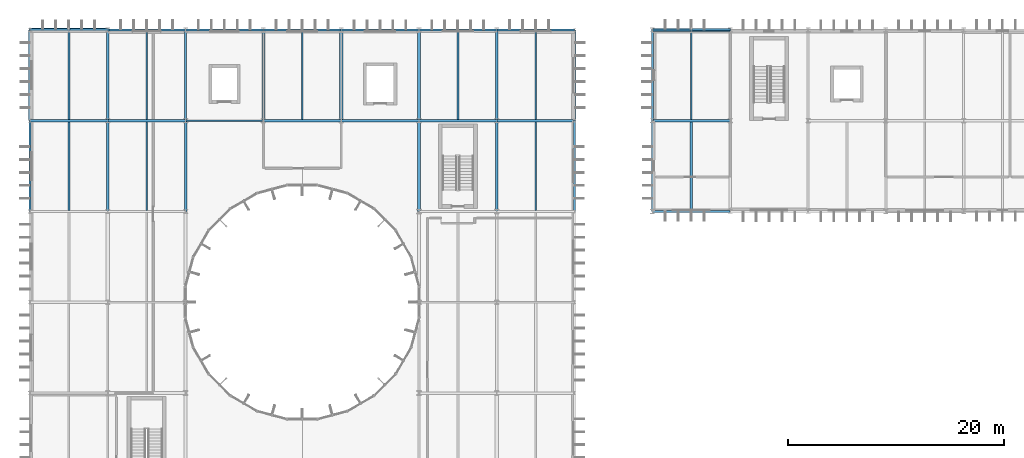
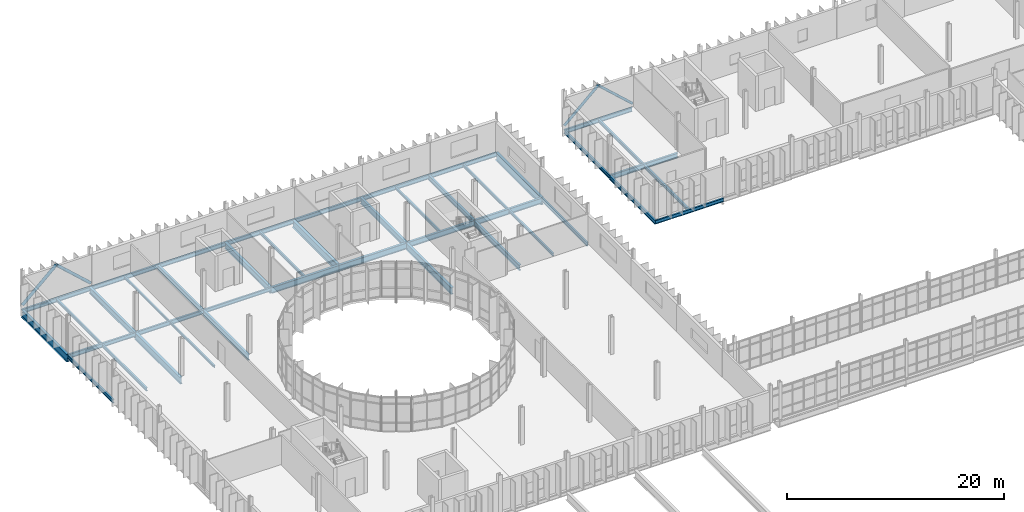
# One storey, part 50 of 119: 43 beams, 4 members.
"""IFC4 building model written with IfcOpenShell, lengths in metres."""

from ifc_helpers import new_model, si_unit, direction, frame, origin, origin_2d, place, context, subcontext, project, spatial, hollow_circle, i_section, extrude, material, material_profile, profile_set, type_object, element, save


model = new_model("IFC4")

# Units and contexts
model_context = context("Model", 3, precision=1e-05, world=origin(), true_north=direction((0.0, 1.0)))
body_context = subcontext(model_context, "Body", "Model", "MODEL_VIEW")
ifc_project = project(units=[si_unit("LENGTHUNIT", "METRE"), si_unit("AREAUNIT", "SQUARE_METRE"), si_unit("VOLUMEUNIT", "CUBIC_METRE"), si_unit("PLANEANGLEUNIT", "RADIAN"), si_unit("MASSUNIT", "GRAM", prefix="KILO")], contexts=[model_context])

# Site, building, storey
site_placement = place(None, origin())
site = spatial("IfcSite", under=ifc_project, at=site_placement, CompositionType="ELEMENT")
building_placement = place(site_placement, origin())
building = spatial("IfcBuilding", under=site, at=building_placement, Name="Qelthora Terrace Specialist Clinic", CompositionType="ELEMENT")
storey_placement = place(building_placement, frame((0.0, 0.0, 4.800048828125)))
storey = spatial("IfcBuildingStorey", under=building, at=storey_placement, Name="L01", CompositionType="ELEMENT", Elevation=4.800048828125)

# Beams
ifc_material = material(Name="Steel S355", Category="steel")
ifc_material_profile_1 = material_profile(ifc_material, i_section(OverallWidth=0.178955078125, OverallDepth=0.409912109375, WebThickness=0.0087890625, FlangeThickness=0.014404296875, FilletRadius=0.011962890625, at=origin_2d()), Name="W410X67")
ifc_profile_set_1 = profile_set([ifc_material_profile_1], Name="Steel S355")
beam_type_1 = type_object("IfcBeamType", Name="BM-W410X67", PredefinedType="BEAM", material=ifc_profile_set_1)
beam_1_placement = place(storey_placement, frame((57.60009765625, 92.39990234375, -0.455078125), z_axis=(1.0, 0.0, 0.0), x_axis=(0.0, 1.0, 0.0)))
element("IfcBeam", 1, at=beam_1_placement, inside=storey, type_object=beam_type_1, Name="Girder BMX-L01-0292", PredefinedType="BEAM", context=body_context, shape_type="SweptSolid", body=[
    extrude(i_section(OverallWidth=0.178955078125, OverallDepth=0.409912109375, WebThickness=0.0087890625, FlangeThickness=0.014404296875, FilletRadius=0.011962890625, at=origin_2d()), origin(), (0.0, 0.0, 1.0), 7.199951171875),
])
beam_2_placement = place(storey_placement, frame((14.39990234375, 100.800048828125, -0.455078125), z_axis=(1.0, 0.0, 0.0), x_axis=(0.0, 1.0, 0.0)))
element("IfcBeam", 2, at=beam_2_placement, inside=storey, type_object=beam_type_1, Name="Girder BMX-L01-0308", PredefinedType="BEAM", context=body_context, shape_type="SweptSolid", body=[
    extrude(i_section(OverallWidth=0.178955078125, OverallDepth=0.409912109375, WebThickness=0.0087890625, FlangeThickness=0.014404296875, FilletRadius=0.011962890625, at=origin_2d()), origin(), (0.0, 0.0, 1.0), 7.2001953125),
])
for number, where, z_axis, x_axis, name in (
    (3, (0.0, 92.39990234375, -0.455078125), (0.0, 1.0, 0.0), (-1.0, 0.0, 0.0), "Girder BMY-L01-0350"),
    (4, (50.39990234375, 92.39990234375, -0.455078125), (0.0, 1.0, 0.0), (-1.0, 0.0, 0.0), "Girder BMY-L01-0420"),
):
    element("IfcBeam", number, at=place(storey_placement, frame(where, z_axis=z_axis, x_axis=x_axis)), inside=storey, type_object=beam_type_1, Name=name, PredefinedType="BEAM", context=body_context, shape_type="SweptSolid", body=[
        extrude(i_section(OverallWidth=0.178955078125, OverallDepth=0.409912109375, WebThickness=0.0087890625, FlangeThickness=0.014404296875, FilletRadius=0.011962890625, at=origin_2d()), origin(), (0.0, 0.0, 1.0), 8.400146484375),
    ])
ifc_material_profile_2 = material_profile(ifc_material, i_section(OverallWidth=0.179931640625, OverallDepth=0.4130859375, WebThickness=0.009765625, FlangeThickness=0.01611328125, FilletRadius=0.011962890625, at=origin_2d()), Name="W410X75")
ifc_profile_set_2 = profile_set([ifc_material_profile_2], Name="Steel S355")
beam_type_2 = type_object("IfcBeamType", Name="BM-W410X75", PredefinedType="BEAM", material=ifc_profile_set_2)
beam_3_placement = place(storey_placement, frame((57.60009765625, 100.800048828125, -0.45654296875), z_axis=(0.0, 1.0, 0.0), x_axis=(-1.0, 0.0, 0.0)))
element("IfcBeam", 5, at=beam_3_placement, inside=storey, type_object=beam_type_2, Name="Girder BMY-L01-0429", PredefinedType="BEAM", context=body_context, shape_type="SweptSolid", body=[
    extrude(i_section(OverallWidth=0.179931640625, OverallDepth=0.4130859375, WebThickness=0.009765625, FlangeThickness=0.01611328125, FilletRadius=0.011962890625, at=origin_2d()), origin(), (0.0, 0.0, 1.0), 8.39990234375),
])
ifc_material_profile_3 = material_profile(ifc_material, i_section(OverallWidth=0.19091796875, OverallDepth=0.4599609375, WebThickness=0.010009765625, FlangeThickness=0.01611328125, FilletRadius=0.012939453125, at=origin_2d()), Name="W460X82")
ifc_profile_set_3 = profile_set([ifc_material_profile_3], Name="Steel S355")
beam_type_3 = type_object("IfcBeamType", Name="BM-W460X82", PredefinedType="BEAM", material=ifc_profile_set_3)
beam_4_placement = place(storey_placement, frame((7.199951171875, 100.800048828125, -0.47998046875), z_axis=(1.0, 0.0, 0.0), x_axis=(0.0, 1.0, 0.0)))
element("IfcBeam", 6, at=beam_4_placement, inside=storey, type_object=beam_type_3, Name="Girder BMX-L01-0307", PredefinedType="BEAM", context=body_context, shape_type="SweptSolid", body=[
    extrude(i_section(OverallWidth=0.19091796875, OverallDepth=0.4599609375, WebThickness=0.010009765625, FlangeThickness=0.01611328125, FilletRadius=0.012939453125, at=origin_2d()), origin(), (0.0, 0.0, 1.0), 7.199951171875),
])
beam_5_placement = place(storey_placement, frame((57.60009765625, 92.39990234375, -0.47998046875), z_axis=(0.0, 1.0, 0.0), x_axis=(-1.0, 0.0, 0.0)))
element("IfcBeam", 7, at=beam_5_placement, inside=storey, type_object=beam_type_3, Name="Girder BMY-L01-0428", PredefinedType="BEAM", context=body_context, shape_type="SweptSolid", body=[
    extrude(i_section(OverallWidth=0.19091796875, OverallDepth=0.4599609375, WebThickness=0.010009765625, FlangeThickness=0.01611328125, FilletRadius=0.012939453125, at=origin_2d()), origin(), (0.0, 0.0, 1.0), 8.400146484375),
])
ifc_material_profile_4 = material_profile(ifc_material, i_section(OverallWidth=0.2119140625, OverallDepth=0.5439453125, WebThickness=0.01318359375, FlangeThickness=0.021240234375, FilletRadius=0.013916015625, at=origin_2d()), Name="W530X123")
ifc_profile_set_4 = profile_set([ifc_material_profile_4], Name="Steel S355")
beam_type_4 = type_object("IfcBeamType", Name="BM-W530X123", PredefinedType="BEAM", material=ifc_profile_set_4)
beam_6_placement = place(storey_placement, frame((57.60009765625, 100.800048828125, -0.52197265625), z_axis=(1.0, 0.0, 0.0), x_axis=(0.0, 1.0, 0.0)))
element("IfcBeam", 8, at=beam_6_placement, inside=storey, type_object=beam_type_4, Name="Girder BMX-L01-0313", PredefinedType="BEAM", context=body_context, shape_type="SweptSolid", body=[
    extrude(i_section(OverallWidth=0.2119140625, OverallDepth=0.5439453125, WebThickness=0.01318359375, FlangeThickness=0.021240234375, FilletRadius=0.013916015625, at=origin_2d()), origin(), (0.0, 0.0, 1.0), 7.199951171875),
])
for number, where, z_axis, x_axis, name in (
    (9, (14.39990234375, 100.800048828125, -0.52197265625), (0.0, 1.0, 0.0), (-1.0, 0.0, 0.0), "Girder BMY-L01-0375"),
    (10, (43.199951171875, 100.800048828125, -0.52197265625), (0.0, 1.0, 0.0), (-1.0, 0.0, 0.0), "Girder BMY-L01-0415"),
):
    element("IfcBeam", number, at=place(storey_placement, frame(where, z_axis=z_axis, x_axis=x_axis)), inside=storey, type_object=beam_type_4, Name=name, PredefinedType="BEAM", context=body_context, shape_type="SweptSolid", body=[
        extrude(i_section(OverallWidth=0.2119140625, OverallDepth=0.5439453125, WebThickness=0.01318359375, FlangeThickness=0.021240234375, FilletRadius=0.013916015625, at=origin_2d()), origin(), (0.0, 0.0, 1.0), 8.39990234375),
    ])
ifc_material_profile_5 = material_profile(ifc_material, i_section(OverallWidth=0.22900390625, OverallDepth=0.612060546875, WebThickness=0.011962890625, FlangeThickness=0.01953125, FilletRadius=0.01611328125, at=origin_2d()), Name="W610X125")
ifc_profile_set_5 = profile_set([ifc_material_profile_5], Name="Steel S355")
beam_type_5 = type_object("IfcBeamType", Name="BM-W610X125", PredefinedType="BEAM", material=ifc_profile_set_5)
beam_7_placement = place(storey_placement, frame((43.199951171875, 100.800048828125, -0.55615234375), z_axis=(1.0, 0.0, 0.0), x_axis=(0.0, 1.0, 0.0)))
element("IfcBeam", 11, at=beam_7_placement, inside=storey, type_object=beam_type_5, Name="Girder BMX-L01-0312", PredefinedType="BEAM", context=body_context, shape_type="SweptSolid", body=[
    extrude(i_section(OverallWidth=0.22900390625, OverallDepth=0.612060546875, WebThickness=0.011962890625, FlangeThickness=0.01953125, FilletRadius=0.01611328125, at=origin_2d()), origin(), (0.0, 0.0, 1.0), 7.199951171875),
])
ifc_material_profile_6 = material_profile(ifc_material, i_section(OverallWidth=0.22998046875, OverallDepth=0.616943359375, WebThickness=0.01318359375, FlangeThickness=0.022216796875, FilletRadius=0.01611328125, at=origin_2d()), Name="W610X140")
ifc_profile_set_6 = profile_set([ifc_material_profile_6], Name="Steel S355")
beam_type_6 = type_object("IfcBeamType", Name="BM-W610X140", PredefinedType="BEAM", material=ifc_profile_set_6)
beam_8_placement = place(storey_placement, frame((36.0, 100.800048828125, -0.55859375), z_axis=(1.0, 0.0, 0.0), x_axis=(0.0, 1.0, 0.0)))
element("IfcBeam", 12, at=beam_8_placement, inside=storey, type_object=beam_type_6, Name="Girder BMX-L01-0311", PredefinedType="BEAM", context=body_context, shape_type="SweptSolid", body=[
    extrude(i_section(OverallWidth=0.22998046875, OverallDepth=0.616943359375, WebThickness=0.01318359375, FlangeThickness=0.022216796875, FilletRadius=0.01611328125, at=origin_2d()), origin(), (0.0, 0.0, 1.0), 7.199951171875),
])
for number, where, z_axis, x_axis, name in (
    (13, (14.39990234375, 92.39990234375, -0.55859375), (0.0, 1.0, 0.0), (-1.0, 0.0, 0.0), "Girder BMY-L01-0374"),
    (14, (43.199951171875, 92.39990234375, -0.55859375), (0.0, 1.0, 0.0), (-1.0, 0.0, 0.0), "Girder BMY-L01-0414"),
):
    element("IfcBeam", number, at=place(storey_placement, frame(where, z_axis=z_axis, x_axis=x_axis)), inside=storey, type_object=beam_type_6, Name=name, PredefinedType="BEAM", context=body_context, shape_type="SweptSolid", body=[
        extrude(i_section(OverallWidth=0.22998046875, OverallDepth=0.616943359375, WebThickness=0.01318359375, FlangeThickness=0.022216796875, FilletRadius=0.01611328125, at=origin_2d()), origin(), (0.0, 0.0, 1.0), 8.400146484375),
    ])
ifc_material_profile_7 = material_profile(ifc_material, i_section(OverallWidth=0.25390625, OverallDepth=0.68798828125, WebThickness=0.01318359375, FlangeThickness=0.02099609375, FilletRadius=0.01806640625, at=origin_2d()), Name="W690X152")
ifc_profile_set_7 = profile_set([ifc_material_profile_7], Name="Steel S355")
beam_type_7 = type_object("IfcBeamType", Name="BM-W690X152", PredefinedType="BEAM", material=ifc_profile_set_7)
beam_9_placement = place(storey_placement, frame((28.800048828125, 100.800048828125, -0.593994140625), z_axis=(1.0, 0.0, 0.0), x_axis=(0.0, 1.0, 0.0)))
element("IfcBeam", 15, at=beam_9_placement, inside=storey, type_object=beam_type_7, Name="Girder BMX-L01-0310", PredefinedType="BEAM", context=body_context, shape_type="SweptSolid", body=[
    extrude(i_section(OverallWidth=0.25390625, OverallDepth=0.68798828125, WebThickness=0.01318359375, FlangeThickness=0.02099609375, FilletRadius=0.01806640625, at=origin_2d()), origin(), (0.0, 0.0, 1.0), 7.199951171875),
])
ifc_material_profile_8 = material_profile(ifc_material, i_section(OverallWidth=0.256103515625, OverallDepth=0.693115234375, WebThickness=0.014404296875, FlangeThickness=0.023681640625, FilletRadius=0.01806640625, at=origin_2d()), Name="W690X170")
ifc_profile_set_8 = profile_set([ifc_material_profile_8], Name="Steel S355")
beam_type_8 = type_object("IfcBeamType", Name="BM-W690X170", PredefinedType="BEAM", material=ifc_profile_set_8)
beam_10_placement = place(storey_placement, frame((21.60009765625, 100.800048828125, -0.596435546875), z_axis=(1.0, 0.0, 0.0), x_axis=(0.0, 1.0, 0.0)))
element("IfcBeam", 16, at=beam_10_placement, inside=storey, type_object=beam_type_8, Name="Girder BMX-L01-0309", PredefinedType="BEAM", context=body_context, shape_type="SweptSolid", body=[
    extrude(i_section(OverallWidth=0.256103515625, OverallDepth=0.693115234375, WebThickness=0.014404296875, FlangeThickness=0.023681640625, FilletRadius=0.01806640625, at=origin_2d()), origin(), (0.0, 0.0, 1.0), 7.199951171875),
])
for number, where, z_axis, x_axis, name in (
    (17, (7.199951171875, 100.800048828125, -0.596435546875), (0.0, 1.0, 0.0), (-1.0, 0.0, 0.0), "Girder BMY-L01-0363"),
    (18, (21.60009765625, 100.800048828125, -0.596435546875), (0.0, 1.0, 0.0), (-1.0, 0.0, 0.0), "Girder BMY-L01-0383"),
    (19, (36.0, 100.800048828125, -0.596435546875), (0.0, 1.0, 0.0), (-1.0, 0.0, 0.0), "Girder BMY-L01-0403"),
):
    element("IfcBeam", number, at=place(storey_placement, frame(where, z_axis=z_axis, x_axis=x_axis)), inside=storey, type_object=beam_type_8, Name=name, PredefinedType="BEAM", context=body_context, shape_type="SweptSolid", body=[
        extrude(i_section(OverallWidth=0.256103515625, OverallDepth=0.693115234375, WebThickness=0.014404296875, FlangeThickness=0.023681640625, FilletRadius=0.01806640625, at=origin_2d()), origin(), (0.0, 0.0, 1.0), 8.39990234375),
    ])
ifc_material_profile_9 = material_profile(ifc_material, i_section(OverallWidth=0.26806640625, OverallDepth=0.77001953125, WebThickness=0.015625, FlangeThickness=0.025390625, FilletRadius=0.01904296875, at=origin_2d()), Name="W760X196")
ifc_profile_set_9 = profile_set([ifc_material_profile_9], Name="Steel S355")
beam_type_9 = type_object("IfcBeamType", Name="BM-W760X196", PredefinedType="BEAM", material=ifc_profile_set_9)
for number, where, z_axis, x_axis, name in (
    (20, (7.199951171875, 92.39990234375, -0.635009765625), (0.0, 1.0, 0.0), (-1.0, 0.0, 0.0), "Girder BMY-L01-0362"),
    (21, (36.0, 92.39990234375, -0.635009765625), (0.0, 1.0, 0.0), (-1.0, 0.0, 0.0), "Girder BMY-L01-0402"),
):
    element("IfcBeam", number, at=place(storey_placement, frame(where, z_axis=z_axis, x_axis=x_axis)), inside=storey, type_object=beam_type_9, Name=name, PredefinedType="BEAM", context=body_context, shape_type="SweptSolid", body=[
        extrude(i_section(OverallWidth=0.26806640625, OverallDepth=0.77001953125, WebThickness=0.015625, FlangeThickness=0.025390625, FilletRadius=0.01904296875, at=origin_2d()), origin(), (0.0, 0.0, 1.0), 8.400146484375),
    ])
ifc_material_profile_10 = material_profile(ifc_material, i_section(OverallWidth=0.2939453125, OverallDepth=0.85107421875, WebThickness=0.01611328125, FlangeThickness=0.02685546875, FilletRadius=0.02001953125, at=origin_2d()), Name="W840X226")
ifc_profile_set_10 = profile_set([ifc_material_profile_10], Name="Steel S355")
beam_type_10 = type_object("IfcBeamType", Name="BM-W840X226", PredefinedType="BEAM", material=ifc_profile_set_10)
for number, where, z_axis, x_axis, name in (
    (22, (0.0, 100.800048828125, -0.675537109375), (0.0, 1.0, 0.0), (-1.0, 0.0, 0.0), "Girder BMY-L01-0351"),
    (23, (28.800048828125, 100.800048828125, -0.675537109375), (0.0, 1.0, 0.0), (-1.0, 0.0, 0.0), "Girder BMY-L01-0391"),
    (24, (50.39990234375, 100.800048828125, -0.675537109375), (0.0, 1.0, 0.0), (-1.0, 0.0, 0.0), "Girder BMY-L01-0421"),
):
    element("IfcBeam", number, at=place(storey_placement, frame(where, z_axis=z_axis, x_axis=x_axis)), inside=storey, type_object=beam_type_10, Name=name, PredefinedType="BEAM", context=body_context, shape_type="SweptSolid", body=[
        extrude(i_section(OverallWidth=0.2939453125, OverallDepth=0.85107421875, WebThickness=0.01611328125, FlangeThickness=0.02685546875, FilletRadius=0.02001953125, at=origin_2d()), origin(), (0.0, 0.0, 1.0), 8.39990234375),
    ])
ifc_material_profile_11 = material_profile(ifc_material, i_section(OverallWidth=0.14599609375, OverallDepth=0.258056640625, WebThickness=0.006103515625, FlangeThickness=0.009033203125, FilletRadius=0.009033203125, at=origin_2d()), Name="W250X33")
ifc_profile_set_11 = profile_set([ifc_material_profile_11], Name="Steel S355")
beam_type_11 = type_object("IfcBeamType", Name="JST-W250X33", PredefinedType="JOIST", material=ifc_profile_set_11)
beam_11_placement = place(storey_placement, frame((10.800048828125, 100.8955078125, -0.379150390625), z_axis=(0.0, 1.0, 0.0), x_axis=(-1.0, 0.0, 0.0)))
element("IfcBeam", 25, at=beam_11_placement, inside=storey, type_object=beam_type_11, Name="Composite floor joist JST-L01-0060", PredefinedType="JOIST", context=body_context, shape_type="SweptSolid", body=[
    extrude(i_section(OverallWidth=0.14599609375, OverallDepth=0.258056640625, WebThickness=0.006103515625, FlangeThickness=0.009033203125, FilletRadius=0.009033203125, at=origin_2d()), origin(), (0.0, 0.0, 1.0), 8.208984375),
])
ifc_material_profile_12 = material_profile(ifc_material, i_section(OverallWidth=0.14697265625, OverallDepth=0.261962890625, WebThickness=0.006591796875, FlangeThickness=0.01123046875, FilletRadius=0.009033203125, at=origin_2d()), Name="W250X39")
ifc_profile_set_12 = profile_set([ifc_material_profile_12], Name="Steel S355")
beam_type_12 = type_object("IfcBeamType", Name="JST-W250X39", PredefinedType="JOIST", material=ifc_profile_set_12)
beam_12_placement = place(storey_placement, frame((10.800048828125, 92.489990234375, -0.381103515625), z_axis=(0.0, 1.0, 0.0), x_axis=(-1.0, 0.0, 0.0)))
element("IfcBeam", 26, at=beam_12_placement, inside=storey, type_object=beam_type_12, Name="Composite floor joist JST-L01-0059", PredefinedType="JOIST", context=body_context, shape_type="SweptSolid", body=[
    extrude(i_section(OverallWidth=0.14697265625, OverallDepth=0.261962890625, WebThickness=0.006591796875, FlangeThickness=0.01123046875, FilletRadius=0.009033203125, at=origin_2d()), origin(), (0.0, 0.0, 1.0), 8.214599609375),
])
ifc_material_profile_13 = material_profile(ifc_material, i_section(OverallWidth=0.166015625, OverallDepth=0.31298828125, WebThickness=0.006591796875, FlangeThickness=0.01123046875, FilletRadius=0.010009765625, at=origin_2d()), Name="W310X45")
ifc_profile_set_13 = profile_set([ifc_material_profile_13], Name="Steel S355")
beam_type_13 = type_object("IfcBeamType", Name="JST-W310X45", PredefinedType="JOIST", material=ifc_profile_set_13)
beam_13_placement = place(storey_placement, frame((39.60009765625, 100.9150390625, -0.406494140625), z_axis=(0.0, 1.0, 0.0), x_axis=(-1.0, 0.0, 0.0)))
element("IfcBeam", 27, at=beam_13_placement, inside=storey, type_object=beam_type_13, Name="Composite floor joist JST-L01-0082", PredefinedType="JOIST", context=body_context, shape_type="SweptSolid", body=[
    extrude(i_section(OverallWidth=0.166015625, OverallDepth=0.31298828125, WebThickness=0.006591796875, FlangeThickness=0.01123046875, FilletRadius=0.010009765625, at=origin_2d()), origin(), (0.0, 0.0, 1.0), 8.189453125),
])
beam_14_placement = place(storey_placement, frame((46.800048828125, 100.91455078125, -0.406494140625), z_axis=(0.0, 1.0, 0.0), x_axis=(-1.0, 0.0, 0.0)))
element("IfcBeam", 28, at=beam_14_placement, inside=storey, type_object=beam_type_13, Name="Composite floor joist JST-L01-0088", PredefinedType="JOIST", context=body_context, shape_type="SweptSolid", body=[
    extrude(i_section(OverallWidth=0.166015625, OverallDepth=0.31298828125, WebThickness=0.006591796875, FlangeThickness=0.01123046875, FilletRadius=0.010009765625, at=origin_2d()), origin(), (0.0, 0.0, 1.0), 8.18994140625),
])
ifc_material_profile_14 = material_profile(ifc_material, i_section(OverallWidth=0.1669921875, OverallDepth=0.31689453125, WebThickness=0.007568359375, FlangeThickness=0.01318359375, FilletRadius=0.010009765625, at=origin_2d()), Name="W310X52")
ifc_profile_set_14 = profile_set([ifc_material_profile_14], Name="Steel S355")
beam_type_14 = type_object("IfcBeamType", Name="JST-W310X52", PredefinedType="JOIST", material=ifc_profile_set_14)
beam_15_placement = place(storey_placement, frame((3.60009765625, 100.8955078125, -0.408447265625), z_axis=(0.0, 1.0, 0.0), x_axis=(-1.0, 0.0, 0.0)))
element("IfcBeam", 29, at=beam_15_placement, inside=storey, type_object=beam_type_14, Name="Composite floor joist JST-L01-0051", PredefinedType="JOIST", context=body_context, shape_type="SweptSolid", body=[
    extrude(i_section(OverallWidth=0.1669921875, OverallDepth=0.31689453125, WebThickness=0.007568359375, FlangeThickness=0.01318359375, FilletRadius=0.010009765625, at=origin_2d()), origin(), (0.0, 0.0, 1.0), 8.208984375),
])
beam_16_placement = place(storey_placement, frame((25.199951171875, 100.927978515625, -0.408447265625), z_axis=(0.0, 1.0, 0.0), x_axis=(-1.0, 0.0, 0.0)))
element("IfcBeam", 30, at=beam_16_placement, inside=storey, type_object=beam_type_14, Name="Composite floor joist JST-L01-0069", PredefinedType="JOIST", context=body_context, shape_type="SweptSolid", body=[
    extrude(i_section(OverallWidth=0.1669921875, OverallDepth=0.31689453125, WebThickness=0.007568359375, FlangeThickness=0.01318359375, FilletRadius=0.010009765625, at=origin_2d()), origin(), (0.0, 0.0, 1.0), 8.176513671875),
])
beam_17_placement = place(storey_placement, frame((46.800048828125, 92.489990234375, -0.408447265625), z_axis=(0.0, 1.0, 0.0), x_axis=(-1.0, 0.0, 0.0)))
element("IfcBeam", 31, at=beam_17_placement, inside=storey, type_object=beam_type_14, Name="Composite floor joist JST-L01-0087", PredefinedType="JOIST", context=body_context, shape_type="SweptSolid", body=[
    extrude(i_section(OverallWidth=0.1669921875, OverallDepth=0.31689453125, WebThickness=0.007568359375, FlangeThickness=0.01318359375, FilletRadius=0.010009765625, at=origin_2d()), origin(), (0.0, 0.0, 1.0), 8.195556640625),
])
ifc_material_profile_15 = material_profile(ifc_material, i_section(OverallWidth=0.172119140625, OverallDepth=0.35791015625, WebThickness=0.0078125, FlangeThickness=0.01318359375, FilletRadius=0.010986328125, at=origin_2d()), Name="W360X57")
ifc_profile_set_15 = profile_set([ifc_material_profile_15], Name="Steel S355")
beam_type_15 = type_object("IfcBeamType", Name="JST-W360X57", PredefinedType="JOIST", material=ifc_profile_set_15)
beam_18_placement = place(storey_placement, frame((3.60009765625, 92.49560546875, -0.428955078125), z_axis=(0.0, 1.0, 0.0), x_axis=(-1.0, 0.0, 0.0)))
element("IfcBeam", 32, at=beam_18_placement, inside=storey, type_object=beam_type_15, Name="Composite floor joist JST-L01-0050", PredefinedType="JOIST", context=body_context, shape_type="SweptSolid", body=[
    extrude(i_section(OverallWidth=0.172119140625, OverallDepth=0.35791015625, WebThickness=0.0078125, FlangeThickness=0.01318359375, FilletRadius=0.010986328125, at=origin_2d()), origin(), (0.0, 0.0, 1.0), 8.208984375),
])
beam_19_placement = place(storey_placement, frame((61.199951171875, 100.906005859375, -0.428955078125), z_axis=(0.0, 1.0, 0.0), x_axis=(-1.0, 0.0, 0.0)))
element("IfcBeam", 33, at=beam_19_placement, inside=storey, type_object=beam_type_15, Name="Composite floor joist JST-L01-0092", PredefinedType="JOIST", context=body_context, shape_type="SweptSolid", body=[
    extrude(i_section(OverallWidth=0.172119140625, OverallDepth=0.35791015625, WebThickness=0.0078125, FlangeThickness=0.01318359375, FilletRadius=0.010986328125, at=origin_2d()), origin(), (0.0, 0.0, 1.0), 8.198486328125),
])
ifc_material_profile_16 = material_profile(ifc_material, i_section(OverallWidth=0.202880859375, OverallDepth=0.346923828125, WebThickness=0.0078125, FlangeThickness=0.013427734375, FilletRadius=0.010986328125, at=origin_2d()), Name="W360X64")
ifc_profile_set_16 = profile_set([ifc_material_profile_16], Name="Steel S355")
beam_type_16 = type_object("IfcBeamType", Name="JST-W360X64", PredefinedType="JOIST", material=ifc_profile_set_16)
beam_20_placement = place(storey_placement, frame((61.199951171875, 92.489501953125, -0.423583984375), z_axis=(0.0, 1.0, 0.0), x_axis=(-1.0, 0.0, 0.0)))
element("IfcBeam", 34, at=beam_20_placement, inside=storey, type_object=beam_type_16, Name="Composite floor joist JST-L01-0091", PredefinedType="JOIST", context=body_context, shape_type="SweptSolid", body=[
    extrude(i_section(OverallWidth=0.202880859375, OverallDepth=0.346923828125, WebThickness=0.0078125, FlangeThickness=0.013427734375, FilletRadius=0.010986328125, at=origin_2d()), origin(), (0.0, 0.0, 1.0), 8.20458984375),
])

# Members
ifc_material_profile_17 = material_profile(ifc_material, hollow_circle(Radius=0.136474609375, WallThickness=0.011962890625, at=origin_2d()), Name="CHS273X12")
ifc_profile_set_17 = profile_set([ifc_material_profile_17], Name="Steel S355")
member_type_1 = type_object("IfcMemberType", Name="MEM-BRACE-CHS273", PredefinedType="BRACE", material=ifc_profile_set_17)
member_1_placement = place(storey_placement, frame((57.60009765625, 109.199951171875, 0.179931640625), z_axis=(0.740203511447, 0.0, 0.672382898089), x_axis=(0.0, 1.0, 0.0)))
element("IfcMember", 35, at=member_1_placement, inside=storey, type_object=member_type_1, Name="Concentric seismic chevron brace B7-L01A", PredefinedType="BRACE", context=body_context, shape_type="SweptSolid", body=[
    extrude(hollow_circle(Radius=0.136474609375, WallThickness=0.011962890625, at=origin_2d()), origin(), (0.0, 0.0, 1.0), 4.86328125),
])
member_2_placement = place(storey_placement, frame((64.800048828125, 109.199951171875, 0.179931640625), z_axis=(-0.740226205678, 0.0, 0.672357913933), x_axis=(0.0, -1.0, 0.0)))
element("IfcMember", 36, at=member_2_placement, inside=storey, type_object=member_type_1, Name="Concentric seismic chevron brace B7-L01B", PredefinedType="BRACE", context=body_context, shape_type="SweptSolid", body=[
    extrude(hollow_circle(Radius=0.136474609375, WallThickness=0.011962890625, at=origin_2d()), origin(), (0.0, 0.0, 1.0), 4.863525390625),
])
ifc_material_profile_18 = material_profile(ifc_material, hollow_circle(Radius=0.16162109375, WallThickness=0.011962890625, at=origin_2d()), Name="CHS323X12")
ifc_profile_set_18 = profile_set([ifc_material_profile_18], Name="Steel S355")
member_type_2 = type_object("IfcMemberType", Name="MEM-BRACE-CHS323", PredefinedType="BRACE", material=ifc_profile_set_18)
member_3_placement = place(storey_placement, frame((0.0, 109.199951171875, 0.179931640625), z_axis=(0.740226205678, 0.0, 0.672357913933), x_axis=(0.0, 1.0, 0.0)))
element("IfcMember", 37, at=member_3_placement, inside=storey, type_object=member_type_2, Name="Concentric seismic chevron brace B2-L01A", PredefinedType="BRACE", context=body_context, shape_type="SweptSolid", body=[
    extrude(hollow_circle(Radius=0.16162109375, WallThickness=0.011962890625, at=origin_2d()), origin(), (0.0, 0.0, 1.0), 4.863525390625),
])
member_4_placement = place(storey_placement, frame((7.199951171875, 109.199951171875, 0.179931640625), z_axis=(-0.740203511447, 0.0, 0.672382898089), x_axis=(0.0, -1.0, 0.0)))
element("IfcMember", 38, at=member_4_placement, inside=storey, type_object=member_type_2, Name="Concentric seismic chevron brace B2-L01B", PredefinedType="BRACE", context=body_context, shape_type="SweptSolid", body=[
    extrude(hollow_circle(Radius=0.16162109375, WallThickness=0.011962890625, at=origin_2d()), origin(), (0.0, 0.0, 1.0), 4.86328125),
])

# Beams
ifc_material_profile_19 = material_profile(ifc_material, i_section(OverallWidth=0.19091796875, OverallDepth=0.4599609375, WebThickness=0.010009765625, FlangeThickness=0.01611328125, FilletRadius=0.012939453125, at=origin_2d()), Name="W460X82")
ifc_profile_set_19 = profile_set([ifc_material_profile_19], Name="Steel S355")
beam_type_17 = type_object("IfcBeamType", Name="SPD-W460X82", PredefinedType="SPANDREL", material=ifc_profile_set_19)
for number, where, z_axis, x_axis, name in (
    (39, (0.0, 100.800048828125, -0.47998046875), (1.0, 0.0, 0.0), (0.0, 1.0, 0.0), "Girder BMX-L01-0306"),
    (40, (0.0, 109.199951171875, -0.47998046875), (1.0, 0.0, 0.0), (0.0, 1.0, 0.0), "Girder BMX-L01-0321"),
    (41, (7.199951171875, 109.199951171875, -0.47998046875), (1.0, 0.0, 0.0), (0.0, 1.0, 0.0), "Girder BMX-L01-0322"),
):
    element("IfcBeam", number, at=place(storey_placement, frame(where, z_axis=z_axis, x_axis=x_axis)), inside=storey, type_object=beam_type_17, Name=name, PredefinedType="SPANDREL", context=body_context, shape_type="SweptSolid", body=[
        extrude(i_section(OverallWidth=0.19091796875, OverallDepth=0.4599609375, WebThickness=0.010009765625, FlangeThickness=0.01611328125, FilletRadius=0.012939453125, at=origin_2d()), origin(), (0.0, 0.0, 1.0), 7.199951171875),
    ])
beam_21_placement = place(storey_placement, frame((14.39990234375, 109.199951171875, -0.47998046875), z_axis=(1.0, 0.0, 0.0), x_axis=(0.0, 1.0, 0.0)))
element("IfcBeam", 42, at=beam_21_placement, inside=storey, type_object=beam_type_17, Name="Girder BMX-L01-0323", PredefinedType="SPANDREL", context=body_context, shape_type="SweptSolid", body=[
    extrude(i_section(OverallWidth=0.19091796875, OverallDepth=0.4599609375, WebThickness=0.010009765625, FlangeThickness=0.01611328125, FilletRadius=0.012939453125, at=origin_2d()), origin(), (0.0, 0.0, 1.0), 7.2001953125),
])
for number, where, z_axis, x_axis, name in (
    (43, (21.60009765625, 109.199951171875, -0.47998046875), (1.0, 0.0, 0.0), (0.0, 1.0, 0.0), "Girder BMX-L01-0324"),
    (44, (28.800048828125, 109.199951171875, -0.47998046875), (1.0, 0.0, 0.0), (0.0, 1.0, 0.0), "Girder BMX-L01-0325"),
    (45, (36.0, 109.199951171875, -0.47998046875), (1.0, 0.0, 0.0), (0.0, 1.0, 0.0), "Girder BMX-L01-0326"),
    (46, (43.199951171875, 109.199951171875, -0.47998046875), (1.0, 0.0, 0.0), (0.0, 1.0, 0.0), "Girder BMX-L01-0327"),
    (47, (57.60009765625, 109.199951171875, -0.47998046875), (1.0, 0.0, 0.0), (0.0, 1.0, 0.0), "Girder BMX-L01-0328"),
):
    element("IfcBeam", number, at=place(storey_placement, frame(where, z_axis=z_axis, x_axis=x_axis)), inside=storey, type_object=beam_type_17, Name=name, PredefinedType="SPANDREL", context=body_context, shape_type="SweptSolid", body=[
        extrude(i_section(OverallWidth=0.19091796875, OverallDepth=0.4599609375, WebThickness=0.010009765625, FlangeThickness=0.01611328125, FilletRadius=0.012939453125, at=origin_2d()), origin(), (0.0, 0.0, 1.0), 7.199951171875),
    ])

save(model, "model.ifc")
